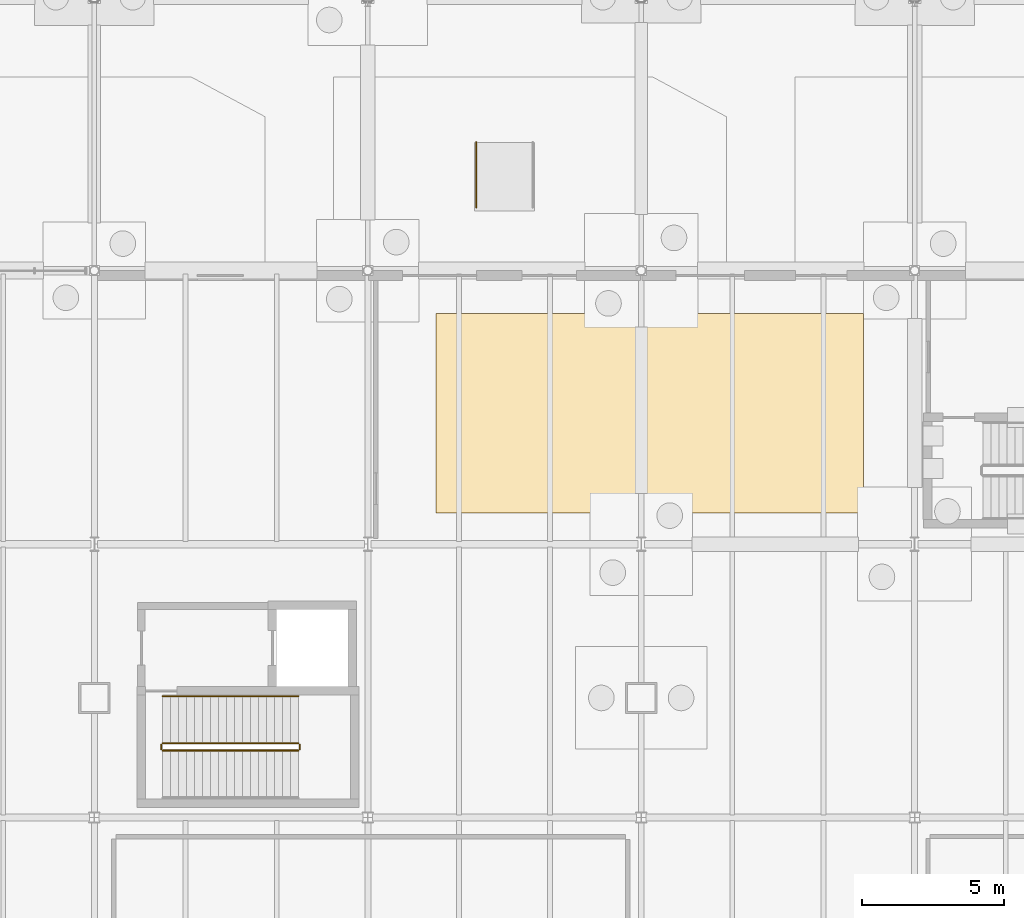
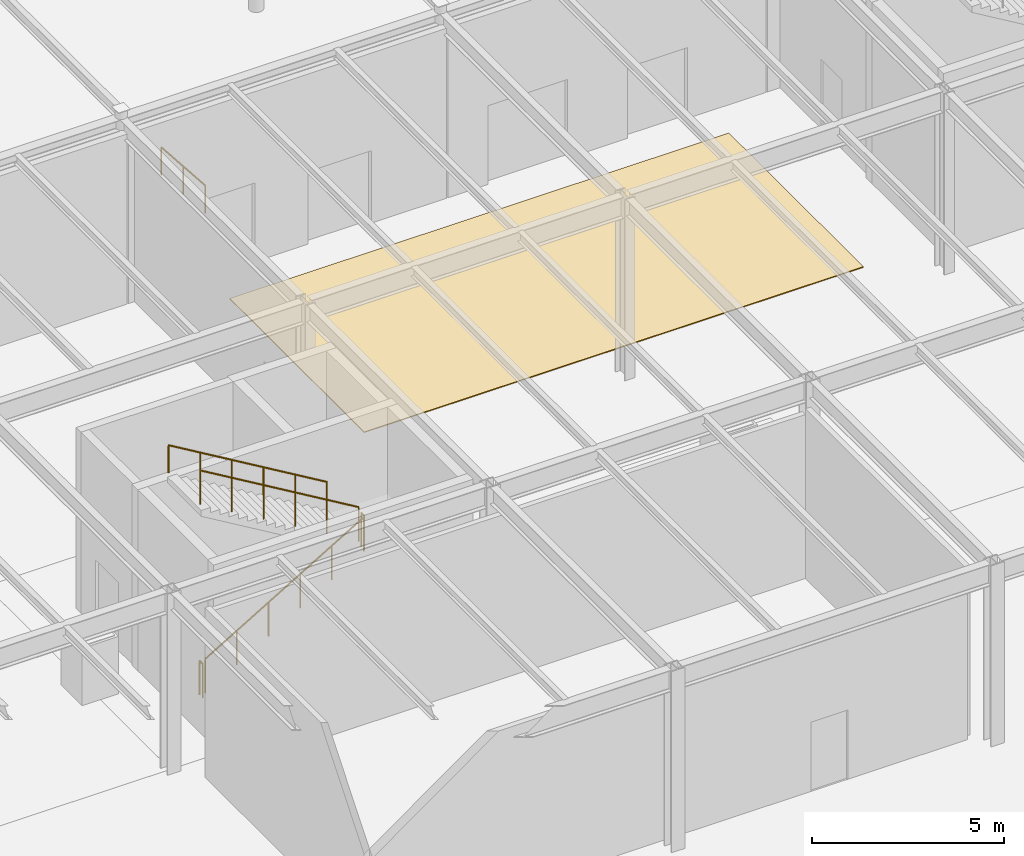
# One storey, part 135 of 142: 6 railings, 1 covering.
"""IFC4 building model written with IfcOpenShell, lengths in metres."""

from ifc_helpers import new_model, si_unit, direction, frame, origin, origin_2d, place, context, subcontext, project, spatial, polyline, circle, outline, extrude, material, layer, layer_set, type_object, element, save


model = new_model("IFC4")

# Units and contexts
model_context = context("Model", 3, precision=1e-05, world=origin(), true_north=direction((0.0, 1.0)))
body_context = subcontext(model_context, "Body", "Model", "MODEL_VIEW")
ifc_project = project(units=[si_unit("LENGTHUNIT", "METRE"), si_unit("AREAUNIT", "SQUARE_METRE"), si_unit("VOLUMEUNIT", "CUBIC_METRE"), si_unit("PLANEANGLEUNIT", "RADIAN"), si_unit("MASSUNIT", "GRAM", prefix="KILO")], contexts=[model_context])

# Site, building, storey
site_placement = place(None, origin())
site = spatial("IfcSite", under=ifc_project, at=site_placement, CompositionType="ELEMENT")
building_placement = place(site_placement, origin())
building = spatial("IfcBuilding", under=site, at=building_placement, Name="Coralgate Yard Interchange", CompositionType="ELEMENT")
storey_placement = place(building_placement, origin())
storey = spatial("IfcBuildingStorey", under=building, at=storey_placement, Name="L00", CompositionType="ELEMENT", Elevation=0.0)

# Covering
ifc_material_1 = material(Name="Honed Mombasa coral-aggregate epoxy terrazzo flooring")
ifc_layer = layer(ifc_material_1, 0.030029296875)
ifc_layer_set = layer_set([ifc_layer], Name="Honed Mombasa coral-aggregate epoxy terrazzo flooring")
covering_type = type_object("IfcCoveringType", Name="COV-FLR1", PredefinedType="FLOORING", material=ifc_layer_set)
covering_placement = place(storey_placement, origin())
element("IfcCovering", 1, at=covering_placement, inside=storey, type_object=covering_type, Name="L00 concourse terrazzo paving zone 5", PredefinedType="FLOORING", context=body_context, shape_type="SweptSolid", body=[
    extrude(outline(polyline([(60.0, 87.5), (75.0, 87.5), (75.0, 94.5), (60.0, 94.5), (60.0, 87.5)])), origin(), (0.0, 0.0, 1.0), 0.030029296875),
])

# Railings
ifc_material_2 = material(Name="Grade 316 marine stainless steel and toughened glass balustrade", Category="steel")
railing_type_1 = type_object("IfcRailingType", Name="RLG-GD1100", PredefinedType="BALUSTRADE", material=ifc_material_2)
railing_1_placement = place(storey_placement, frame((50.39990234375, 79.14990234375, 0.166748046875)))
element("IfcRailing", 2, at=railing_1_placement, inside=storey, type_object=railing_type_1, Name="L00 ST-05 stair guard 1", PredefinedType="BALUSTRADE", context=body_context, shape_type="SweptSolid", body=[
    extrude(circle(Radius=0.02392578125, at=origin_2d()), frame((0.0, 0.0, 1.076171875), z_axis=(0.859299802514, 0.0, 0.511472237174), x_axis=(0.0, 1.0, 0.0)), (0.0, 0.0, 1.0), 5.539306640625),
    extrude(circle(Radius=0.02099609375, at=origin_2d()), origin(), (0.0, 0.0, 1.0), 1.051513671875),
    extrude(circle(Radius=0.02099609375, at=origin_2d()), frame((0.951904296875, 0.0, 0.566650390625)), (0.0, 0.0, 1.0), 1.051513671875),
    extrude(circle(Radius=0.02099609375, at=origin_2d()), frame((1.904052734375, 0.0, 1.13330078125)), (0.0, 0.0, 1.0), 1.051513671875),
    extrude(circle(Radius=0.02099609375, at=origin_2d()), frame((2.85595703125, 0.0, 1.699951171875)), (0.0, 0.0, 1.0), 1.051513671875),
    extrude(circle(Radius=0.02099609375, at=origin_2d()), frame((3.80810546875, 0.0, 2.2666015625)), (0.0, 0.0, 1.0), 1.051513671875),
    extrude(circle(Radius=0.02099609375, at=origin_2d()), frame((4.760009765625, 0.0, 2.833251953125)), (0.0, 0.0, 1.0), 1.051513671875),
])
railing_2_placement = place(storey_placement, frame((55.2099609375, 79.199951171875, 3.0)))
element("IfcRailing", 3, at=railing_2_placement, inside=storey, type_object=railing_type_1, Name="L00 ST-05 stair guard 2", PredefinedType="BALUSTRADE", context=body_context, shape_type="SweptSolid", body=[
    extrude(circle(Radius=0.02392578125, at=origin_2d()), frame((0.0, 0.0, 1.076171875), z_axis=(0.0, 1.0, 0.0), x_axis=(-1.0, 0.0, 0.0)), (0.0, 0.0, 1.0), 0.16015625),
    extrude(circle(Radius=0.02099609375, at=origin_2d()), origin(), (0.0, 0.0, 1.0), 1.051513671875),
    extrude(circle(Radius=0.02099609375, at=origin_2d()), frame((0.0, 0.16015625, 0.0)), (0.0, 0.0, 1.0), 1.051513671875),
])
railing_3_placement = place(storey_placement, frame((55.159912109375, 79.409912109375, 3.166748046875)))
element("IfcRailing", 4, at=railing_3_placement, inside=storey, type_object=railing_type_1, Name="L00 ST-05 stair guard 3", PredefinedType="BALUSTRADE", context=body_context, shape_type="SweptSolid", body=[
    extrude(circle(Radius=0.02392578125, at=origin_2d()), frame((0.0, 0.0, 1.076171875), z_axis=(-0.859299802514, 0.0, 0.511472237174), x_axis=(0.0, -1.0, 0.0)), (0.0, 0.0, 1.0), 5.539306640625),
    extrude(circle(Radius=0.02099609375, at=origin_2d()), origin(), (0.0, 0.0, 1.0), 1.051513671875),
    extrude(circle(Radius=0.02099609375, at=origin_2d()), frame((-0.951904296875, 0.0, 0.566650390625)), (0.0, 0.0, 1.0), 1.051513671875),
    extrude(circle(Radius=0.02099609375, at=origin_2d()), frame((-1.904052734375, 0.0, 1.13330078125)), (0.0, 0.0, 1.0), 1.051513671875),
    extrude(circle(Radius=0.02099609375, at=origin_2d()), frame((-2.85595703125, 0.0, 1.699951171875)), (0.0, 0.0, 1.0), 1.051513671875),
    extrude(circle(Radius=0.02099609375, at=origin_2d()), frame((-3.80810546875, 0.0, 2.2666015625)), (0.0, 0.0, 1.0), 1.051513671875),
    extrude(circle(Radius=0.02099609375, at=origin_2d()), frame((-4.760009765625, 0.0, 2.833251953125)), (0.0, 0.0, 1.0), 1.051513671875),
])
railing_4_placement = place(storey_placement, frame((50.35009765625, 79.199951171875, 0.0)))
element("IfcRailing", 5, at=railing_4_placement, inside=storey, type_object=railing_type_1, Name="L00 ST-05 stair guard 4", PredefinedType="BALUSTRADE", context=body_context, shape_type="SweptSolid", body=[
    extrude(circle(Radius=0.02392578125, at=origin_2d()), frame((0.0, 0.0, 1.076171875), z_axis=(0.0, 1.0, 0.0), x_axis=(-1.0, 0.0, 0.0)), (0.0, 0.0, 1.0), 0.16015625),
    extrude(circle(Radius=0.02099609375, at=origin_2d()), origin(), (0.0, 0.0, 1.0), 1.051513671875),
    extrude(circle(Radius=0.02099609375, at=origin_2d()), frame((0.0, 0.16015625, 0.0)), (0.0, 0.0, 1.0), 1.051513671875),
])
ifc_material_3 = material(Name="Grade 316 marine stainless steel", Category="steel")
railing_type_2 = type_object("IfcRailingType", Name="RLG-HR900", PredefinedType="HANDRAIL", material=ifc_material_3)
railing_5_placement = place(storey_placement, frame((55.159912109375, 81.06005859375, 3.166748046875)))
element("IfcRailing", 6, at=railing_5_placement, inside=storey, type_object=railing_type_2, Name="L00 ST-05 stair handrail 2", PredefinedType="HANDRAIL", context=body_context, shape_type="SweptSolid", body=[
    extrude(circle(Radius=0.02392578125, at=origin_2d()), frame((0.0, 0.0, 0.8759765625), z_axis=(-0.859299802514, 0.0, 0.511472237174), x_axis=(0.0, -1.0, 0.0)), (0.0, 0.0, 1.0), 5.539306640625),
    extrude(circle(Radius=0.02099609375, at=origin_2d()), origin(), (0.0, 0.0, 1.0), 0.851318359375),
    extrude(circle(Radius=0.02099609375, at=origin_2d()), frame((-0.951904296875, 0.0, 0.566650390625)), (0.0, 0.0, 1.0), 0.851318359375),
    extrude(circle(Radius=0.02099609375, at=origin_2d()), frame((-1.904052734375, 0.0, 1.13330078125)), (0.0, 0.0, 1.0), 0.851318359375),
    extrude(circle(Radius=0.02099609375, at=origin_2d()), frame((-2.85595703125, 0.0, 1.699951171875)), (0.0, 0.0, 1.0), 0.851318359375),
    extrude(circle(Radius=0.02099609375, at=origin_2d()), frame((-3.80810546875, 0.0, 2.2666015625)), (0.0, 0.0, 1.0), 0.851318359375),
    extrude(circle(Radius=0.02099609375, at=origin_2d()), frame((-4.760009765625, 0.0, 2.833251953125)), (0.0, 0.0, 1.0), 0.851318359375),
])
railing_6_placement = place(storey_placement, frame((61.409912109375, 100.5, -0.179931640625)))
element("IfcRailing", 7, at=railing_6_placement, inside=storey, type_object=railing_type_2, Name="Bus island west accessible ramp handrail L", PredefinedType="HANDRAIL", context=body_context, shape_type="SweptSolid", body=[
    extrude(circle(Radius=0.02392578125, at=origin_2d()), frame((0.0, 0.0, 0.8759765625), z_axis=(0.0, -0.997202693388, 0.07474482122), x_axis=(1.0, 0.0, 0.0)), (0.0, 0.0, 1.0), 2.286376953125),
    extrude(circle(Radius=0.02099609375, at=origin_2d()), origin(), (0.0, 0.0, 1.0), 0.851318359375),
    extrude(circle(Radius=0.02099609375, at=origin_2d()), frame((0.0, -1.14013671875, 0.08544921875)), (0.0, 0.0, 1.0), 0.851318359375),
    extrude(circle(Radius=0.02099609375, at=origin_2d()), frame((0.0, -2.280029296875, 0.1708984375)), (0.0, 0.0, 1.0), 0.851318359375),
])

save(model, "model.ifc")
